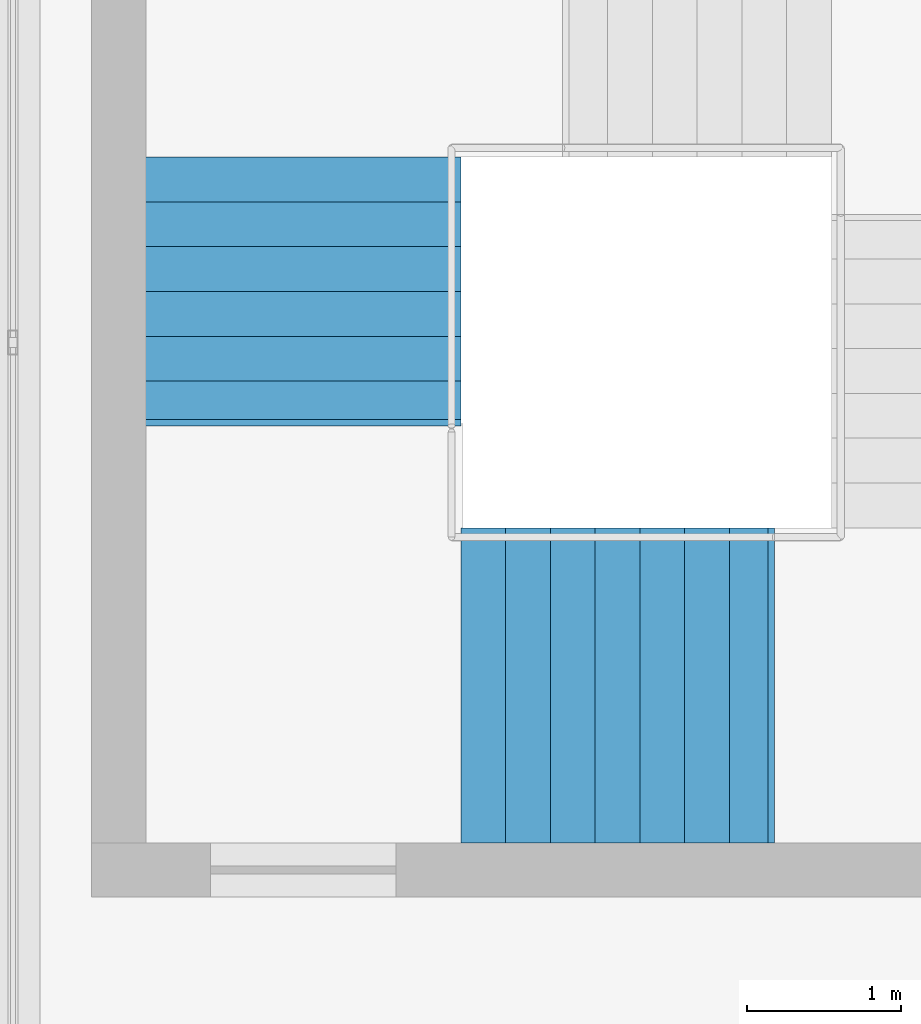
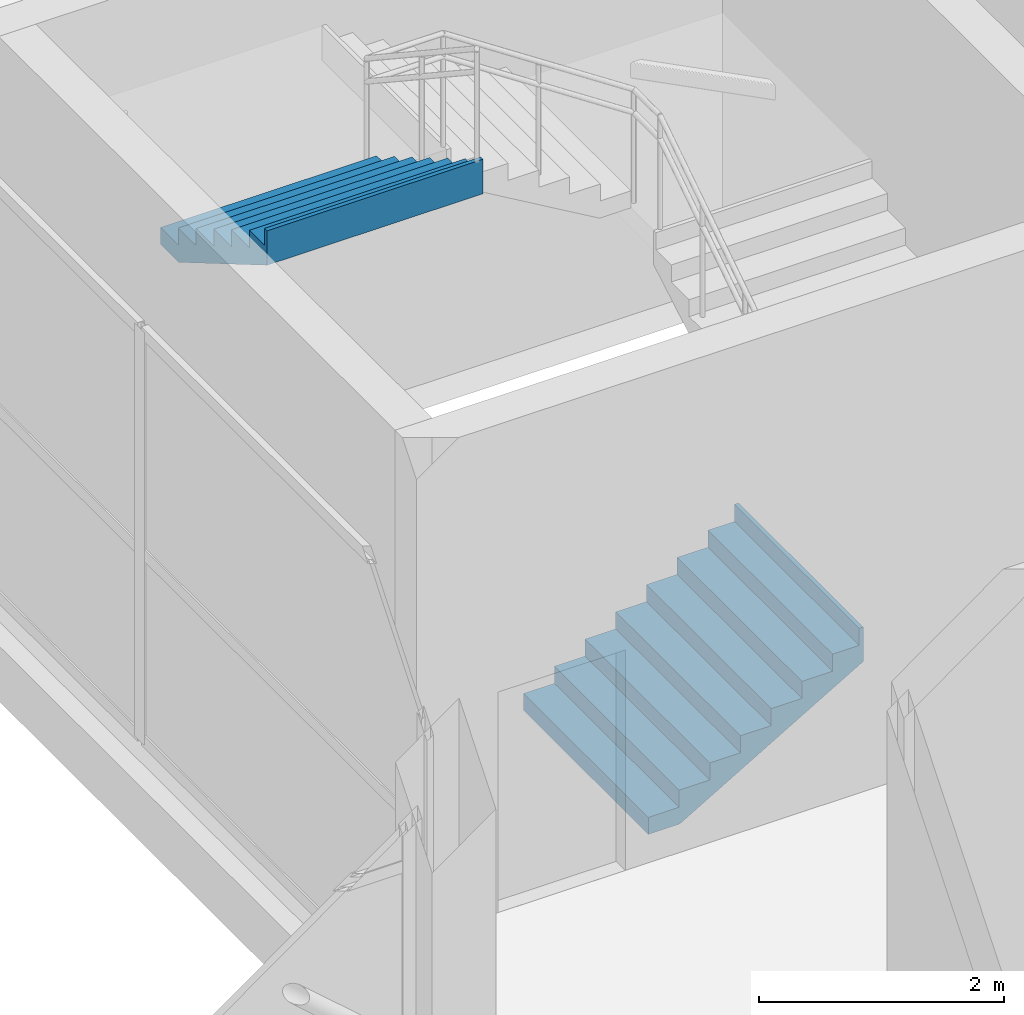
# One storey, part 61 of 66: 2 stair flights, 1 element without a shape of its own.
"""IFC4 building model written with IfcOpenShell, lengths in metres."""

from ifc_helpers import new_model, si_unit, direction, frame, origin, place, context, subcontext, project, spatial, triangles, material, type_object, element, aggregate, save


model = new_model("IFC4")

# Units and contexts
model_context = context("Model", 3, precision=1e-05, world=origin(), true_north=direction((0.0, 1.0)))
body_context = subcontext(model_context, "Body", "Model", "MODEL_VIEW")
ifc_project = project(units=[si_unit("LENGTHUNIT", "METRE"), si_unit("AREAUNIT", "SQUARE_METRE"), si_unit("VOLUMEUNIT", "CUBIC_METRE"), si_unit("PLANEANGLEUNIT", "RADIAN"), si_unit("MASSUNIT", "GRAM", prefix="KILO")], contexts=[model_context])

# Site, building, storey
site_placement = place(None, origin())
site = spatial("IfcSite", under=ifc_project, at=site_placement, CompositionType="ELEMENT")
building_placement = place(site_placement, origin())
building = spatial("IfcBuilding", under=site, at=building_placement, Name="Sillaruma Civic Art Gallery", CompositionType="ELEMENT")
storey_placement = place(building_placement, frame((0.0, 0.0, 57.1201171875)))
storey = spatial("IfcBuildingStorey", under=building, at=storey_placement, Name="L11", CompositionType="ELEMENT", Elevation=57.1201171875)

# Stair, stair flights
ifc_material = material(Name="Concrete H35 (35 MPa)", Category="concrete")
stair_type = type_object("IfcStairType", Name="STR-4F-30", PredefinedType="USERDEFINED", material=ifc_material)
stair_placement = place(storey_placement, origin())
stair = element("IfcStair", 1, at=stair_placement, inside=storey, type_object=stair_type, Name="Protected Exit Stair ST-04 (East Bar) (L11)", ObjectType="THREE_RETURN_STAIR", PredefinedType="USERDEFINED")
stair_flight_type_1 = type_object("IfcStairFlightType", Name="SFL-STR-7", PredefinedType="STRAIGHT", material=ifc_material)
stair_flight_1_placement = place(storey_placement, frame((99.8798828125, 55.64990234375, 3.909912109375), z_axis=(0.0, 0.0, 1.0), x_axis=(0.0, -1.0, 0.0)))
stair_flight_1 = element("IfcStairFlight", 2, at=stair_flight_1_placement, type_object=stair_flight_type_1, Name="ST-04 flight 4", NumberOfRisers=7, NumberOfTreads=6, PredefinedType="STRAIGHT", RiserHeight=0.17, TreadLength=0.29, context=body_context, shape_type="Tessellation", body=[
    triangles([(0.0, -1.02001953125, 0.0), (0.29, -1.02001953125, 0.0), (0.296404, -1.02001953125, 0.0), (0.58, -1.02001953125, 0.166246), (0.87, -1.02001953125, 0.336246), (1.16, -1.02001953125, 0.506246), (1.45, -1.02001953125, 0.676246), (1.69999, -1.02001953125, 0.822792), (1.73999, -1.02001953125, 0.84624), (1.73999, -1.02001953125, 1.19), (1.69999, -1.02001953125, 1.19), (1.69999, -1.02001953125, 1.02), (1.45, -1.02001953125, 1.02), (1.45, -1.02001953125, 0.85), (1.16, -1.02001953125, 0.85), (1.16, -1.02001953125, 0.68), (0.87, -1.02001953125, 0.68), (0.87, -1.02001953125, 0.51), (0.58, -1.02001953125, 0.51), (0.58, -1.02001953125, 0.34), (0.296404, -1.02001953125, 0.34), (0.29, -1.02001953125, 0.34), (0.29, -1.02001953125, 0.17), (0.0, -1.02001953125, 0.17), (0.0, -0.05, 0.0), (0.29, -0.05, 0.0), (0.296404, -0.05, 0.0), (0.58, -0.05, 0.166246), (0.87, -0.05, 0.336246), (1.16, -0.05, 0.506246), (1.45, -0.05, 0.676246), (1.69999, -0.05, 0.822792), (1.73999, -0.05, 0.84624), (1.73999, -0.05, 1.19), (1.69999, -0.05, 1.19), (1.69999, -0.05, 1.02), (1.45, -0.05, 1.02), (1.45, -0.05, 0.85), (1.16, -0.05, 0.85), (1.16, -0.05, 0.68), (0.87, -0.05, 0.68), (0.87, -0.05, 0.51), (0.58, -0.05, 0.51), (0.58, -0.05, 0.34), (0.296404, -0.05, 0.34), (0.29, -0.05, 0.34), (0.29, -0.05, 0.17), (0.0, -0.05, 0.17), (0.0, -0.0375, 0.0), (0.29, -0.0375, 0.0), (0.296404, -0.0375, 0.0), (0.58, -0.0375, 0.166246), (0.87, -0.0375, 0.336246), (1.16, -0.0375, 0.506246), (1.45, -0.0375, 0.676246), (1.69999, -0.0375, 0.822792), (1.73999, -0.0375, 0.84624), (1.73999, -0.0375, 1.19), (1.69999, -0.0375, 1.19), (1.69999, -0.0375, 1.02), (1.45, -0.0375, 1.02), (1.45, -0.0375, 0.85), (1.16, -0.0375, 0.85), (1.16, -0.0375, 0.68), (0.87, -0.0375, 0.68), (0.87, -0.0375, 0.51), (0.58, -0.0375, 0.51), (0.58, -0.0375, 0.34), (0.296404, -0.0375, 0.34), (0.29, -0.0375, 0.34), (0.29, -0.0375, 0.17), (0.0, -0.0375, 0.17), (0.0, -0.025, 0.0), (0.29, -0.025, 0.0), (0.296404, -0.025, 0.0), (0.58, -0.025, 0.166246), (0.87, -0.025, 0.336246), (1.16, -0.025, 0.506246), (1.45, -0.025, 0.676246), (1.69999, -0.025, 0.822792), (1.73999, -0.025, 0.84624), (1.73999, -0.025, 1.19), (1.69999, -0.025, 1.19), (1.69999, -0.025, 1.02), (1.45, -0.025, 1.02), (1.45, -0.025, 0.85), (1.16, -0.025, 0.85), (1.16, -0.025, 0.68), (0.87, -0.025, 0.68), (0.87, -0.025, 0.51), (0.58, -0.025, 0.51), (0.58, -0.025, 0.34), (0.296404, -0.025, 0.34), (0.29, -0.025, 0.34), (0.29, -0.025, 0.17), (0.0, -0.025, 0.17), (0.0, -0.0125, 0.0), (0.29, -0.0125, 0.0), (0.296404, -0.0125, 0.0), (0.58, -0.0125, 0.166246), (0.87, -0.0125, 0.336246), (1.16, -0.0125, 0.506246), (1.45, -0.0125, 0.676246), (1.69999, -0.0125, 0.822792), (1.73999, -0.0125, 0.84624), (1.73999, -0.0125, 1.19), (1.69999, -0.0125, 1.19), (1.69999, -0.0125, 1.02), (1.45, -0.0125, 1.02), (1.45, -0.0125, 0.85), (1.16, -0.0125, 0.85), (1.16, -0.0125, 0.68), (0.87, -0.0125, 0.68), (0.87, -0.0125, 0.51), (0.58, -0.0125, 0.51), (0.58, -0.0125, 0.34), (0.296404, -0.0125, 0.34), (0.29, -0.0125, 0.34), (0.29, -0.0125, 0.17), (0.0, -0.0125, 0.17), (0.0, 0.0, 0.0), (0.29, 0.0, 0.0), (0.296404, 0.0, 0.0), (0.58, 0.0, 0.166246), (0.87, 0.0, 0.336246), (1.16, 0.0, 0.506246), (1.45, 0.0, 0.676246), (1.69999, 0.0, 0.822792), (1.73999, 0.0, 0.84624), (1.73999, 0.0, 1.19), (1.69999, 0.0, 1.19), (1.69999, 0.0, 1.02), (1.45, 0.0, 1.02), (1.45, 0.0, 0.85), (1.16, 0.0, 0.85), (1.16, 0.0, 0.68), (0.87, 0.0, 0.68), (0.87, 0.0, 0.51), (0.58, 0.0, 0.51), (0.58, 0.0, 0.34), (0.296404, 0.0, 0.34), (0.29, 0.0, 0.34), (0.29, 0.0, 0.17), (0.0, 0.0, 0.17), (0.0, 0.0125, 0.0), (0.29, 0.0125, 0.0), (0.296404, 0.0125, 0.0), (0.58, 0.0125, 0.166246), (0.87, 0.0125, 0.336246), (1.16, 0.0125, 0.506246), (1.45, 0.0125, 0.676246), (1.69999, 0.0125, 0.822792), (1.73999, 0.0125, 0.84624), (1.73999, 0.0125, 1.19), (1.69999, 0.0125, 1.19), (1.69999, 0.0125, 1.02), (1.45, 0.0125, 1.02), (1.45, 0.0125, 0.85), (1.16, 0.0125, 0.85), (1.16, 0.0125, 0.68), (0.87, 0.0125, 0.68), (0.87, 0.0125, 0.51), (0.58, 0.0125, 0.51), (0.58, 0.0125, 0.34), (0.296404, 0.0125, 0.34), (0.29, 0.0125, 0.34), (0.29, 0.0125, 0.17), (0.0, 0.0125, 0.17), (0.0, 0.025, 0.0), (0.29, 0.025, 0.0), (0.296404, 0.025, 0.0), (0.58, 0.025, 0.166246), (0.87, 0.025, 0.336246), (1.16, 0.025, 0.506246), (1.45, 0.025, 0.676246), (1.69999, 0.025, 0.822792), (1.73999, 0.025, 0.84624), (1.73999, 0.025, 1.19), (1.69999, 0.025, 1.19), (1.69999, 0.025, 1.02), (1.45, 0.025, 1.02), (1.45, 0.025, 0.85), (1.16, 0.025, 0.85), (1.16, 0.025, 0.68), (0.87, 0.025, 0.68), (0.87, 0.025, 0.51), (0.58, 0.025, 0.51), (0.58, 0.025, 0.34), (0.296404, 0.025, 0.34), (0.29, 0.025, 0.34), (0.29, 0.025, 0.17), (0.0, 0.025, 0.17), (0.0, 0.0375, 0.0), (0.29, 0.0375, 0.0), (0.296404, 0.0375, 0.0), (0.58, 0.0375, 0.166246), (0.87, 0.0375, 0.336246), (1.16, 0.0375, 0.506246), (1.45, 0.0375, 0.676246), (1.69999, 0.0375, 0.822792), (1.73999, 0.0375, 0.84624), (1.73999, 0.0375, 1.19), (1.69999, 0.0375, 1.19), (1.69999, 0.0375, 1.02), (1.45, 0.0375, 1.02), (1.45, 0.0375, 0.85), (1.16, 0.0375, 0.85), (1.16, 0.0375, 0.68), (0.87, 0.0375, 0.68), (0.87, 0.0375, 0.51), (0.58, 0.0375, 0.51), (0.58, 0.0375, 0.34), (0.296404, 0.0375, 0.34), (0.29, 0.0375, 0.34), (0.29, 0.0375, 0.17), (0.0, 0.0375, 0.17), (0.0, 0.05, 0.0), (0.29, 0.05, 0.0), (0.296404, 0.05, 0.0), (0.58, 0.05, 0.166246), (0.87, 0.05, 0.336246), (1.16, 0.05, 0.506246), (1.45, 0.05, 0.676246), (1.69999, 0.05, 0.822792), (1.73999, 0.05, 0.84624), (1.73999, 0.05, 1.19), (1.69999, 0.05, 1.19), (1.69999, 0.05, 1.02), (1.45, 0.05, 1.02), (1.45, 0.05, 0.85), (1.16, 0.05, 0.85), (1.16, 0.05, 0.68), (0.87, 0.05, 0.68), (0.87, 0.05, 0.51), (0.58, 0.05, 0.51), (0.58, 0.05, 0.34), (0.296404, 0.05, 0.34), (0.29, 0.05, 0.34), (0.29, 0.05, 0.17), (0.0, 0.05, 0.17), (0.0, 1.02001953125, 0.0), (0.29, 1.02001953125, 0.0), (0.296404, 1.02001953125, 0.0), (0.58, 1.02001953125, 0.166246), (0.87, 1.02001953125, 0.336246), (1.16, 1.02001953125, 0.506246), (1.45, 1.02001953125, 0.676246), (1.69999, 1.02001953125, 0.822792), (1.73999, 1.02001953125, 0.84624), (1.73999, 1.02001953125, 1.19), (1.69999, 1.02001953125, 1.19), (1.69999, 1.02001953125, 1.02), (1.45, 1.02001953125, 1.02), (1.45, 1.02001953125, 0.85), (1.16, 1.02001953125, 0.85), (1.16, 1.02001953125, 0.68), (0.87, 1.02001953125, 0.68), (0.87, 1.02001953125, 0.51), (0.58, 1.02001953125, 0.51), (0.58, 1.02001953125, 0.34), (0.296404, 1.02001953125, 0.34), (0.29, 1.02001953125, 0.34), (0.29, 1.02001953125, 0.17), (0.0, 1.02001953125, 0.17)], [[1, 2, 23], [1, 23, 24], [2, 3, 21], [2, 21, 23], [23, 21, 22], [3, 4, 20], [3, 20, 21], [4, 5, 18], [4, 18, 20], [20, 18, 19], [5, 6, 16], [5, 16, 18], [18, 16, 17], [6, 7, 14], [6, 14, 16], [16, 14, 15], [7, 8, 12], [7, 12, 14], [14, 12, 13], [8, 9, 10], [8, 10, 12], [12, 10, 11], [263, 242, 241], [264, 263, 241], [261, 243, 242], [263, 261, 242], [262, 261, 263], [260, 244, 243], [261, 260, 243], [258, 245, 244], [260, 258, 244], [259, 258, 260], [256, 246, 245], [258, 256, 245], [257, 256, 258], [254, 247, 246], [256, 254, 246], [255, 254, 256], [252, 248, 247], [254, 252, 247], [253, 252, 254], [250, 249, 248], [252, 250, 248], [251, 250, 252], [2, 1, 25], [2, 25, 26], [3, 2, 26], [3, 26, 27], [4, 3, 27], [4, 27, 28], [5, 4, 28], [5, 28, 29], [6, 5, 29], [6, 29, 30], [7, 6, 30], [7, 30, 31], [8, 7, 31], [8, 31, 32], [9, 8, 32], [9, 32, 33], [10, 9, 33], [10, 33, 34], [11, 10, 34], [11, 34, 35], [12, 11, 35], [12, 35, 36], [13, 12, 36], [13, 36, 37], [14, 13, 37], [14, 37, 38], [15, 14, 38], [15, 38, 39], [16, 15, 39], [16, 39, 40], [17, 16, 40], [17, 40, 41], [18, 17, 41], [18, 41, 42], [19, 18, 42], [19, 42, 43], [20, 19, 43], [20, 43, 44], [21, 20, 44], [21, 44, 45], [22, 21, 45], [22, 45, 46], [23, 22, 46], [23, 46, 47], [24, 23, 47], [24, 47, 48], [1, 24, 48], [1, 48, 25], [26, 25, 49], [26, 49, 50], [27, 26, 50], [27, 50, 51], [28, 27, 51], [28, 51, 52], [29, 28, 52], [29, 52, 53], [30, 29, 53], [30, 53, 54], [31, 30, 54], [31, 54, 55], [32, 31, 55], [32, 55, 56], [33, 32, 56], [33, 56, 57], [34, 33, 57], [34, 57, 58], [35, 34, 58], [35, 58, 59], [36, 35, 59], [36, 59, 60], [37, 36, 60], [37, 60, 61], [38, 37, 61], [38, 61, 62], [39, 38, 62], [39, 62, 63], [40, 39, 63], [40, 63, 64], [41, 40, 64], [41, 64, 65], [42, 41, 65], [42, 65, 66], [43, 42, 66], [43, 66, 67], [44, 43, 67], [44, 67, 68], [45, 44, 68], [45, 68, 69], [46, 45, 69], [46, 69, 70], [47, 46, 70], [47, 70, 71], [48, 47, 71], [48, 71, 72], [25, 48, 72], [25, 72, 49], [50, 49, 73], [50, 73, 74], [51, 50, 74], [51, 74, 75], [52, 51, 75], [52, 75, 76], [53, 52, 76], [53, 76, 77], [54, 53, 77], [54, 77, 78], [55, 54, 78], [55, 78, 79], [56, 55, 79], [56, 79, 80], [57, 56, 80], [57, 80, 81], [58, 57, 81], [58, 81, 82], [59, 58, 82], [59, 82, 83], [60, 59, 83], [60, 83, 84], [61, 60, 84], [61, 84, 85], [62, 61, 85], [62, 85, 86], [63, 62, 86], [63, 86, 87], [64, 63, 87], [64, 87, 88], [65, 64, 88], [65, 88, 89], [66, 65, 89], [66, 89, 90], [67, 66, 90], [67, 90, 91], [68, 67, 91], [68, 91, 92], [69, 68, 92], [69, 92, 93], [70, 69, 93], [70, 93, 94], [71, 70, 94], [71, 94, 95], [72, 71, 95], [72, 95, 96], [49, 72, 96], [49, 96, 73], [74, 73, 97], [74, 97, 98], [75, 74, 98], [75, 98, 99], [76, 75, 99], [76, 99, 100], [77, 76, 100], [77, 100, 101], [78, 77, 101], [78, 101, 102], [79, 78, 102], [79, 102, 103], [80, 79, 103], [80, 103, 104], [81, 80, 104], [81, 104, 105], [82, 81, 105], [82, 105, 106], [83, 82, 106], [83, 106, 107], [84, 83, 107], [84, 107, 108], [85, 84, 108], [85, 108, 109], [86, 85, 109], [86, 109, 110], [87, 86, 110], [87, 110, 111], [88, 87, 111], [88, 111, 112], [89, 88, 112], [89, 112, 113], [90, 89, 113], [90, 113, 114], [91, 90, 114], [91, 114, 115], [92, 91, 115], [92, 115, 116], [93, 92, 116], [93, 116, 117], [94, 93, 117], [94, 117, 118], [95, 94, 118], [95, 118, 119], [96, 95, 119], [96, 119, 120], [73, 96, 120], [73, 120, 97], [98, 97, 121], [98, 121, 122], [99, 98, 122], [99, 122, 123], [100, 99, 123], [100, 123, 124], [101, 100, 124], [101, 124, 125], [102, 101, 125], [102, 125, 126], [103, 102, 126], [103, 126, 127], [104, 103, 127], [104, 127, 128], [105, 104, 128], [105, 128, 129], [106, 105, 129], [106, 129, 130], [107, 106, 130], [107, 130, 131], [108, 107, 131], [108, 131, 132], [109, 108, 132], [109, 132, 133], [110, 109, 133], [110, 133, 134], [111, 110, 134], [111, 134, 135], [112, 111, 135], [112, 135, 136], [113, 112, 136], [113, 136, 137], [114, 113, 137], [114, 137, 138], [115, 114, 138], [115, 138, 139], [116, 115, 139], [116, 139, 140], [117, 116, 140], [117, 140, 141], [118, 117, 141], [118, 141, 142], [119, 118, 142], [119, 142, 143], [120, 119, 143], [120, 143, 144], [97, 120, 144], [97, 144, 121], [122, 121, 145], [122, 145, 146], [123, 122, 146], [123, 146, 147], [124, 123, 147], [124, 147, 148], [125, 124, 148], [125, 148, 149], [126, 125, 149], [126, 149, 150], [127, 126, 150], [127, 150, 151], [128, 127, 151], [128, 151, 152], [129, 128, 152], [129, 152, 153], [130, 129, 153], [130, 153, 154], [131, 130, 154], [131, 154, 155], [132, 131, 155], [132, 155, 156], [133, 132, 156], [133, 156, 157], [134, 133, 157], [134, 157, 158], [135, 134, 158], [135, 158, 159], [136, 135, 159], [136, 159, 160], [137, 136, 160], [137, 160, 161], [138, 137, 161], [138, 161, 162], [139, 138, 162], [139, 162, 163], [140, 139, 163], [140, 163, 164], [141, 140, 164], [141, 164, 165], [142, 141, 165], [142, 165, 166], [143, 142, 166], [143, 166, 167], [144, 143, 167], [144, 167, 168], [121, 144, 168], [121, 168, 145], [146, 145, 169], [146, 169, 170], [147, 146, 170], [147, 170, 171], [148, 147, 171], [148, 171, 172], [149, 148, 172], [149, 172, 173], [150, 149, 173], [150, 173, 174], [151, 150, 174], [151, 174, 175], [152, 151, 175], [152, 175, 176], [153, 152, 176], [153, 176, 177], [154, 153, 177], [154, 177, 178], [155, 154, 178], [155, 178, 179], [156, 155, 179], [156, 179, 180], [157, 156, 180], [157, 180, 181], [158, 157, 181], [158, 181, 182], [159, 158, 182], [159, 182, 183], [160, 159, 183], [160, 183, 184], [161, 160, 184], [161, 184, 185], [162, 161, 185], [162, 185, 186], [163, 162, 186], [163, 186, 187], [164, 163, 187], [164, 187, 188], [165, 164, 188], [165, 188, 189], [166, 165, 189], [166, 189, 190], [167, 166, 190], [167, 190, 191], [168, 167, 191], [168, 191, 192], [145, 168, 192], [145, 192, 169], [170, 169, 193], [170, 193, 194], [171, 170, 194], [171, 194, 195], [172, 171, 195], [172, 195, 196], [173, 172, 196], [173, 196, 197], [174, 173, 197], [174, 197, 198], [175, 174, 198], [175, 198, 199], [176, 175, 199], [176, 199, 200], [177, 176, 200], [177, 200, 201], [178, 177, 201], [178, 201, 202], [179, 178, 202], [179, 202, 203], [180, 179, 203], [180, 203, 204], [181, 180, 204], [181, 204, 205], [182, 181, 205], [182, 205, 206], [183, 182, 206], [183, 206, 207], [184, 183, 207], [184, 207, 208], [185, 184, 208], [185, 208, 209], [186, 185, 209], [186, 209, 210], [187, 186, 210], [187, 210, 211], [188, 187, 211], [188, 211, 212], [189, 188, 212], [189, 212, 213], [190, 189, 213], [190, 213, 214], [191, 190, 214], [191, 214, 215], [192, 191, 215], [192, 215, 216], [169, 192, 216], [169, 216, 193], [194, 193, 217], [194, 217, 218], [195, 194, 218], [195, 218, 219], [196, 195, 219], [196, 219, 220], [197, 196, 220], [197, 220, 221], [198, 197, 221], [198, 221, 222], [199, 198, 222], [199, 222, 223], [200, 199, 223], [200, 223, 224], [201, 200, 224], [201, 224, 225], [202, 201, 225], [202, 225, 226], [203, 202, 226], [203, 226, 227], [204, 203, 227], [204, 227, 228], [205, 204, 228], [205, 228, 229], [206, 205, 229], [206, 229, 230], [207, 206, 230], [207, 230, 231], [208, 207, 231], [208, 231, 232], [209, 208, 232], [209, 232, 233], [210, 209, 233], [210, 233, 234], [211, 210, 234], [211, 234, 235], [212, 211, 235], [212, 235, 236], [213, 212, 236], [213, 236, 237], [214, 213, 237], [214, 237, 238], [215, 214, 238], [215, 238, 239], [216, 215, 239], [216, 239, 240], [193, 216, 240], [193, 240, 217], [218, 217, 241], [218, 241, 242], [219, 218, 242], [219, 242, 243], [220, 219, 243], [220, 243, 244], [221, 220, 244], [221, 244, 245], [222, 221, 245], [222, 245, 246], [223, 222, 246], [223, 246, 247], [224, 223, 247], [224, 247, 248], [225, 224, 248], [225, 248, 249], [226, 225, 249], [226, 249, 250], [227, 226, 250], [227, 250, 251], [228, 227, 251], [228, 251, 252], [229, 228, 252], [229, 252, 253], [230, 229, 253], [230, 253, 254], [231, 230, 254], [231, 254, 255], [232, 231, 255], [232, 255, 256], [233, 232, 256], [233, 256, 257], [234, 233, 257], [234, 257, 258], [235, 234, 258], [235, 258, 259], [236, 235, 259], [236, 259, 260], [237, 236, 260], [237, 260, 261], [238, 237, 261], [238, 261, 262], [239, 238, 262], [239, 262, 263], [240, 239, 263], [240, 263, 264], [217, 240, 264], [217, 264, 241]], closed=True),
])
stair_flight_type_2 = type_object("IfcStairFlightType", Name="SFL-STR-8", PredefinedType="STRAIGHT", material=ifc_material)
stair_flight_2_placement = place(storey_placement, frame((100.89990234375, 52.22998046875, 0.0), z_axis=(0.0, 0.0, 1.0), x_axis=(1.0, 0.0, 0.0)))
stair_flight_2 = element("IfcStairFlight", 3, at=stair_flight_2_placement, type_object=stair_flight_type_2, Name="ST-04 flight 1", NumberOfRisers=8, NumberOfTreads=7, PredefinedType="STRAIGHT", RiserHeight=0.17, TreadLength=0.29, context=body_context, shape_type="Tessellation", body=[
    triangles([(0.0, -1.02001953125, 0.0), (0.29, -1.02001953125, 0.0), (0.296443, -1.02001953125, 0.0), (0.58, -1.02001953125, 0.166223), (0.87, -1.02001953125, 0.336223), (1.16, -1.02001953125, 0.506223), (1.45, -1.02001953125, 0.676223), (1.74, -1.02001953125, 0.846223), (1.990029, -1.02001953125, 0.992792), (2.030029, -1.02001953125, 1.01624), (2.030029, -1.02001953125, 1.36), (1.990029, -1.02001953125, 1.36), (1.990029, -1.02001953125, 1.19), (1.74, -1.02001953125, 1.19), (1.74, -1.02001953125, 1.02), (1.45, -1.02001953125, 1.02), (1.45, -1.02001953125, 0.85), (1.16, -1.02001953125, 0.85), (1.16, -1.02001953125, 0.68), (0.87, -1.02001953125, 0.68), (0.87, -1.02001953125, 0.51), (0.58, -1.02001953125, 0.51), (0.58, -1.02001953125, 0.34), (0.296443, -1.02001953125, 0.34), (0.29, -1.02001953125, 0.34), (0.29, -1.02001953125, 0.17), (0.0, -1.02001953125, 0.17), (0.0, -0.05, 0.0), (0.29, -0.05, 0.0), (0.296443, -0.05, 0.0), (0.58, -0.05, 0.166223), (0.87, -0.05, 0.336223), (1.16, -0.05, 0.506223), (1.45, -0.05, 0.676223), (1.74, -0.05, 0.846223), (1.990029, -0.05, 0.992792), (2.030029, -0.05, 1.01624), (2.030029, -0.05, 1.36), (1.990029, -0.05, 1.36), (1.990029, -0.05, 1.19), (1.74, -0.05, 1.19), (1.74, -0.05, 1.02), (1.45, -0.05, 1.02), (1.45, -0.05, 0.85), (1.16, -0.05, 0.85), (1.16, -0.05, 0.68), (0.87, -0.05, 0.68), (0.87, -0.05, 0.51), (0.58, -0.05, 0.51), (0.58, -0.05, 0.34), (0.296443, -0.05, 0.34), (0.29, -0.05, 0.34), (0.29, -0.05, 0.17), (0.0, -0.05, 0.17), (0.0, -0.0375, 0.0), (0.29, -0.0375, 0.0), (0.296443, -0.0375, 0.0), (0.58, -0.0375, 0.166223), (0.87, -0.0375, 0.336223), (1.16, -0.0375, 0.506223), (1.45, -0.0375, 0.676223), (1.74, -0.0375, 0.846223), (1.990029, -0.0375, 0.992792), (2.030029, -0.0375, 1.01624), (2.030029, -0.0375, 1.36), (1.990029, -0.0375, 1.36), (1.990029, -0.0375, 1.19), (1.74, -0.0375, 1.19), (1.74, -0.0375, 1.02), (1.45, -0.0375, 1.02), (1.45, -0.0375, 0.85), (1.16, -0.0375, 0.85), (1.16, -0.0375, 0.68), (0.87, -0.0375, 0.68), (0.87, -0.0375, 0.51), (0.58, -0.0375, 0.51), (0.58, -0.0375, 0.34), (0.296443, -0.0375, 0.34), (0.29, -0.0375, 0.34), (0.29, -0.0375, 0.17), (0.0, -0.0375, 0.17), (0.0, -0.025, 0.0), (0.29, -0.025, 0.0), (0.296443, -0.025, 0.0), (0.58, -0.025, 0.166223), (0.87, -0.025, 0.336223), (1.16, -0.025, 0.506223), (1.45, -0.025, 0.676223), (1.74, -0.025, 0.846223), (1.990029, -0.025, 0.992792), (2.030029, -0.025, 1.01624), (2.030029, -0.025, 1.36), (1.990029, -0.025, 1.36), (1.990029, -0.025, 1.19), (1.74, -0.025, 1.19), (1.74, -0.025, 1.02), (1.45, -0.025, 1.02), (1.45, -0.025, 0.85), (1.16, -0.025, 0.85), (1.16, -0.025, 0.68), (0.87, -0.025, 0.68), (0.87, -0.025, 0.51), (0.58, -0.025, 0.51), (0.58, -0.025, 0.34), (0.296443, -0.025, 0.34), (0.29, -0.025, 0.34), (0.29, -0.025, 0.17), (0.0, -0.025, 0.17), (0.0, -0.0125, 0.0), (0.29, -0.0125, 0.0), (0.296443, -0.0125, 0.0), (0.58, -0.0125, 0.166223), (0.87, -0.0125, 0.336223), (1.16, -0.0125, 0.506223), (1.45, -0.0125, 0.676223), (1.74, -0.0125, 0.846223), (1.990029, -0.0125, 0.992792), (2.030029, -0.0125, 1.01624), (2.030029, -0.0125, 1.36), (1.990029, -0.0125, 1.36), (1.990029, -0.0125, 1.19), (1.74, -0.0125, 1.19), (1.74, -0.0125, 1.02), (1.45, -0.0125, 1.02), (1.45, -0.0125, 0.85), (1.16, -0.0125, 0.85), (1.16, -0.0125, 0.68), (0.87, -0.0125, 0.68), (0.87, -0.0125, 0.51), (0.58, -0.0125, 0.51), (0.58, -0.0125, 0.34), (0.296443, -0.0125, 0.34), (0.29, -0.0125, 0.34), (0.29, -0.0125, 0.17), (0.0, -0.0125, 0.17), (0.0, 0.0, 0.0), (0.29, 0.0, 0.0), (0.296443, 0.0, 0.0), (0.58, 0.0, 0.166223), (0.87, 0.0, 0.336223), (1.16, 0.0, 0.506223), (1.45, 0.0, 0.676223), (1.74, 0.0, 0.846223), (1.990029, 0.0, 0.992792), (2.030029, 0.0, 1.01624), (2.030029, 0.0, 1.36), (1.990029, 0.0, 1.36), (1.990029, 0.0, 1.19), (1.74, 0.0, 1.19), (1.74, 0.0, 1.02), (1.45, 0.0, 1.02), (1.45, 0.0, 0.85), (1.16, 0.0, 0.85), (1.16, 0.0, 0.68), (0.87, 0.0, 0.68), (0.87, 0.0, 0.51), (0.58, 0.0, 0.51), (0.58, 0.0, 0.34), (0.296443, 0.0, 0.34), (0.29, 0.0, 0.34), (0.29, 0.0, 0.17), (0.0, 0.0, 0.17), (0.0, 0.0125, 0.0), (0.29, 0.0125, 0.0), (0.296443, 0.0125, 0.0), (0.58, 0.0125, 0.166223), (0.87, 0.0125, 0.336223), (1.16, 0.0125, 0.506223), (1.45, 0.0125, 0.676223), (1.74, 0.0125, 0.846223), (1.990029, 0.0125, 0.992792), (2.030029, 0.0125, 1.01624), (2.030029, 0.0125, 1.36), (1.990029, 0.0125, 1.36), (1.990029, 0.0125, 1.19), (1.74, 0.0125, 1.19), (1.74, 0.0125, 1.02), (1.45, 0.0125, 1.02), (1.45, 0.0125, 0.85), (1.16, 0.0125, 0.85), (1.16, 0.0125, 0.68), (0.87, 0.0125, 0.68), (0.87, 0.0125, 0.51), (0.58, 0.0125, 0.51), (0.58, 0.0125, 0.34), (0.296443, 0.0125, 0.34), (0.29, 0.0125, 0.34), (0.29, 0.0125, 0.17), (0.0, 0.0125, 0.17), (0.0, 0.025, 0.0), (0.29, 0.025, 0.0), (0.296443, 0.025, 0.0), (0.58, 0.025, 0.166223), (0.87, 0.025, 0.336223), (1.16, 0.025, 0.506223), (1.45, 0.025, 0.676223), (1.74, 0.025, 0.846223), (1.990029, 0.025, 0.992792), (2.030029, 0.025, 1.01624), (2.030029, 0.025, 1.36), (1.990029, 0.025, 1.36), (1.990029, 0.025, 1.19), (1.74, 0.025, 1.19), (1.74, 0.025, 1.02), (1.45, 0.025, 1.02), (1.45, 0.025, 0.85), (1.16, 0.025, 0.85), (1.16, 0.025, 0.68), (0.87, 0.025, 0.68), (0.87, 0.025, 0.51), (0.58, 0.025, 0.51), (0.58, 0.025, 0.34), (0.296443, 0.025, 0.34), (0.29, 0.025, 0.34), (0.29, 0.025, 0.17), (0.0, 0.025, 0.17), (0.0, 0.0375, 0.0), (0.29, 0.0375, 0.0), (0.296443, 0.0375, 0.0), (0.58, 0.0375, 0.166223), (0.87, 0.0375, 0.336223), (1.16, 0.0375, 0.506223), (1.45, 0.0375, 0.676223), (1.74, 0.0375, 0.846223), (1.990029, 0.0375, 0.992792), (2.030029, 0.0375, 1.01624), (2.030029, 0.0375, 1.36), (1.990029, 0.0375, 1.36), (1.990029, 0.0375, 1.19), (1.74, 0.0375, 1.19), (1.74, 0.0375, 1.02), (1.45, 0.0375, 1.02), (1.45, 0.0375, 0.85), (1.16, 0.0375, 0.85), (1.16, 0.0375, 0.68), (0.87, 0.0375, 0.68), (0.87, 0.0375, 0.51), (0.58, 0.0375, 0.51), (0.58, 0.0375, 0.34), (0.296443, 0.0375, 0.34), (0.29, 0.0375, 0.34), (0.29, 0.0375, 0.17), (0.0, 0.0375, 0.17), (0.0, 0.05, 0.0), (0.29, 0.05, 0.0), (0.296443, 0.05, 0.0), (0.58, 0.05, 0.166223), (0.87, 0.05, 0.336223), (1.16, 0.05, 0.506223), (1.45, 0.05, 0.676223), (1.74, 0.05, 0.846223), (1.990029, 0.05, 0.992792), (2.030029, 0.05, 1.01624), (2.030029, 0.05, 1.36), (1.990029, 0.05, 1.36), (1.990029, 0.05, 1.19), (1.74, 0.05, 1.19), (1.74, 0.05, 1.02), (1.45, 0.05, 1.02), (1.45, 0.05, 0.85), (1.16, 0.05, 0.85), (1.16, 0.05, 0.68), (0.87, 0.05, 0.68), (0.87, 0.05, 0.51), (0.58, 0.05, 0.51), (0.58, 0.05, 0.34), (0.296443, 0.05, 0.34), (0.29, 0.05, 0.34), (0.29, 0.05, 0.17), (0.0, 0.05, 0.17), (0.0, 1.02001953125, 0.0), (0.29, 1.02001953125, 0.0), (0.296443, 1.02001953125, 0.0), (0.58, 1.02001953125, 0.166223), (0.87, 1.02001953125, 0.336223), (1.16, 1.02001953125, 0.506223), (1.45, 1.02001953125, 0.676223), (1.74, 1.02001953125, 0.846223), (1.990029, 1.02001953125, 0.992792), (2.030029, 1.02001953125, 1.01624), (2.030029, 1.02001953125, 1.36), (1.990029, 1.02001953125, 1.36), (1.990029, 1.02001953125, 1.19), (1.74, 1.02001953125, 1.19), (1.74, 1.02001953125, 1.02), (1.45, 1.02001953125, 1.02), (1.45, 1.02001953125, 0.85), (1.16, 1.02001953125, 0.85), (1.16, 1.02001953125, 0.68), (0.87, 1.02001953125, 0.68), (0.87, 1.02001953125, 0.51), (0.58, 1.02001953125, 0.51), (0.58, 1.02001953125, 0.34), (0.296443, 1.02001953125, 0.34), (0.29, 1.02001953125, 0.34), (0.29, 1.02001953125, 0.17), (0.0, 1.02001953125, 0.17)], [[1, 2, 26], [1, 26, 27], [2, 3, 24], [2, 24, 26], [26, 24, 25], [3, 4, 23], [3, 23, 24], [4, 5, 21], [4, 21, 23], [23, 21, 22], [5, 6, 19], [5, 19, 21], [21, 19, 20], [6, 7, 17], [6, 17, 19], [19, 17, 18], [7, 8, 15], [7, 15, 17], [17, 15, 16], [8, 9, 13], [8, 13, 15], [15, 13, 14], [9, 10, 11], [9, 11, 13], [13, 11, 12], [296, 272, 271], [297, 296, 271], [294, 273, 272], [296, 294, 272], [295, 294, 296], [293, 274, 273], [294, 293, 273], [291, 275, 274], [293, 291, 274], [292, 291, 293], [289, 276, 275], [291, 289, 275], [290, 289, 291], [287, 277, 276], [289, 287, 276], [288, 287, 289], [285, 278, 277], [287, 285, 277], [286, 285, 287], [283, 279, 278], [285, 283, 278], [284, 283, 285], [281, 280, 279], [283, 281, 279], [282, 281, 283], [2, 1, 28], [2, 28, 29], [3, 2, 29], [3, 29, 30], [4, 3, 30], [4, 30, 31], [5, 4, 31], [5, 31, 32], [6, 5, 32], [6, 32, 33], [7, 6, 33], [7, 33, 34], [8, 7, 34], [8, 34, 35], [9, 8, 35], [9, 35, 36], [10, 9, 36], [10, 36, 37], [11, 10, 37], [11, 37, 38], [12, 11, 38], [12, 38, 39], [13, 12, 39], [13, 39, 40], [14, 13, 40], [14, 40, 41], [15, 14, 41], [15, 41, 42], [16, 15, 42], [16, 42, 43], [17, 16, 43], [17, 43, 44], [18, 17, 44], [18, 44, 45], [19, 18, 45], [19, 45, 46], [20, 19, 46], [20, 46, 47], [21, 20, 47], [21, 47, 48], [22, 21, 48], [22, 48, 49], [23, 22, 49], [23, 49, 50], [24, 23, 50], [24, 50, 51], [25, 24, 51], [25, 51, 52], [26, 25, 52], [26, 52, 53], [27, 26, 53], [27, 53, 54], [1, 27, 54], [1, 54, 28], [29, 28, 55], [29, 55, 56], [30, 29, 56], [30, 56, 57], [31, 30, 57], [31, 57, 58], [32, 31, 58], [32, 58, 59], [33, 32, 59], [33, 59, 60], [34, 33, 60], [34, 60, 61], [35, 34, 61], [35, 61, 62], [36, 35, 62], [36, 62, 63], [37, 36, 63], [37, 63, 64], [38, 37, 64], [38, 64, 65], [39, 38, 65], [39, 65, 66], [40, 39, 66], [40, 66, 67], [41, 40, 67], [41, 67, 68], [42, 41, 68], [42, 68, 69], [43, 42, 69], [43, 69, 70], [44, 43, 70], [44, 70, 71], [45, 44, 71], [45, 71, 72], [46, 45, 72], [46, 72, 73], [47, 46, 73], [47, 73, 74], [48, 47, 74], [48, 74, 75], [49, 48, 75], [49, 75, 76], [50, 49, 76], [50, 76, 77], [51, 50, 77], [51, 77, 78], [52, 51, 78], [52, 78, 79], [53, 52, 79], [53, 79, 80], [54, 53, 80], [54, 80, 81], [28, 54, 81], [28, 81, 55], [56, 55, 82], [56, 82, 83], [57, 56, 83], [57, 83, 84], [58, 57, 84], [58, 84, 85], [59, 58, 85], [59, 85, 86], [60, 59, 86], [60, 86, 87], [61, 60, 87], [61, 87, 88], [62, 61, 88], [62, 88, 89], [63, 62, 89], [63, 89, 90], [64, 63, 90], [64, 90, 91], [65, 64, 91], [65, 91, 92], [66, 65, 92], [66, 92, 93], [67, 66, 93], [67, 93, 94], [68, 67, 94], [68, 94, 95], [69, 68, 95], [69, 95, 96], [70, 69, 96], [70, 96, 97], [71, 70, 97], [71, 97, 98], [72, 71, 98], [72, 98, 99], [73, 72, 99], [73, 99, 100], [74, 73, 100], [74, 100, 101], [75, 74, 101], [75, 101, 102], [76, 75, 102], [76, 102, 103], [77, 76, 103], [77, 103, 104], [78, 77, 104], [78, 104, 105], [79, 78, 105], [79, 105, 106], [80, 79, 106], [80, 106, 107], [81, 80, 107], [81, 107, 108], [55, 81, 108], [55, 108, 82], [83, 82, 109], [83, 109, 110], [84, 83, 110], [84, 110, 111], [85, 84, 111], [85, 111, 112], [86, 85, 112], [86, 112, 113], [87, 86, 113], [87, 113, 114], [88, 87, 114], [88, 114, 115], [89, 88, 115], [89, 115, 116], [90, 89, 116], [90, 116, 117], [91, 90, 117], [91, 117, 118], [92, 91, 118], [92, 118, 119], [93, 92, 119], [93, 119, 120], [94, 93, 120], [94, 120, 121], [95, 94, 121], [95, 121, 122], [96, 95, 122], [96, 122, 123], [97, 96, 123], [97, 123, 124], [98, 97, 124], [98, 124, 125], [99, 98, 125], [99, 125, 126], [100, 99, 126], [100, 126, 127], [101, 100, 127], [101, 127, 128], [102, 101, 128], [102, 128, 129], [103, 102, 129], [103, 129, 130], [104, 103, 130], [104, 130, 131], [105, 104, 131], [105, 131, 132], [106, 105, 132], [106, 132, 133], [107, 106, 133], [107, 133, 134], [108, 107, 134], [108, 134, 135], [82, 108, 135], [82, 135, 109], [110, 109, 136], [110, 136, 137], [111, 110, 137], [111, 137, 138], [112, 111, 138], [112, 138, 139], [113, 112, 139], [113, 139, 140], [114, 113, 140], [114, 140, 141], [115, 114, 141], [115, 141, 142], [116, 115, 142], [116, 142, 143], [117, 116, 143], [117, 143, 144], [118, 117, 144], [118, 144, 145], [119, 118, 145], [119, 145, 146], [120, 119, 146], [120, 146, 147], [121, 120, 147], [121, 147, 148], [122, 121, 148], [122, 148, 149], [123, 122, 149], [123, 149, 150], [124, 123, 150], [124, 150, 151], [125, 124, 151], [125, 151, 152], [126, 125, 152], [126, 152, 153], [127, 126, 153], [127, 153, 154], [128, 127, 154], [128, 154, 155], [129, 128, 155], [129, 155, 156], [130, 129, 156], [130, 156, 157], [131, 130, 157], [131, 157, 158], [132, 131, 158], [132, 158, 159], [133, 132, 159], [133, 159, 160], [134, 133, 160], [134, 160, 161], [135, 134, 161], [135, 161, 162], [109, 135, 162], [109, 162, 136], [137, 136, 163], [137, 163, 164], [138, 137, 164], [138, 164, 165], [139, 138, 165], [139, 165, 166], [140, 139, 166], [140, 166, 167], [141, 140, 167], [141, 167, 168], [142, 141, 168], [142, 168, 169], [143, 142, 169], [143, 169, 170], [144, 143, 170], [144, 170, 171], [145, 144, 171], [145, 171, 172], [146, 145, 172], [146, 172, 173], [147, 146, 173], [147, 173, 174], [148, 147, 174], [148, 174, 175], [149, 148, 175], [149, 175, 176], [150, 149, 176], [150, 176, 177], [151, 150, 177], [151, 177, 178], [152, 151, 178], [152, 178, 179], [153, 152, 179], [153, 179, 180], [154, 153, 180], [154, 180, 181], [155, 154, 181], [155, 181, 182], [156, 155, 182], [156, 182, 183], [157, 156, 183], [157, 183, 184], [158, 157, 184], [158, 184, 185], [159, 158, 185], [159, 185, 186], [160, 159, 186], [160, 186, 187], [161, 160, 187], [161, 187, 188], [162, 161, 188], [162, 188, 189], [136, 162, 189], [136, 189, 163], [164, 163, 190], [164, 190, 191], [165, 164, 191], [165, 191, 192], [166, 165, 192], [166, 192, 193], [167, 166, 193], [167, 193, 194], [168, 167, 194], [168, 194, 195], [169, 168, 195], [169, 195, 196], [170, 169, 196], [170, 196, 197], [171, 170, 197], [171, 197, 198], [172, 171, 198], [172, 198, 199], [173, 172, 199], [173, 199, 200], [174, 173, 200], [174, 200, 201], [175, 174, 201], [175, 201, 202], [176, 175, 202], [176, 202, 203], [177, 176, 203], [177, 203, 204], [178, 177, 204], [178, 204, 205], [179, 178, 205], [179, 205, 206], [180, 179, 206], [180, 206, 207], [181, 180, 207], [181, 207, 208], [182, 181, 208], [182, 208, 209], [183, 182, 209], [183, 209, 210], [184, 183, 210], [184, 210, 211], [185, 184, 211], [185, 211, 212], [186, 185, 212], [186, 212, 213], [187, 186, 213], [187, 213, 214], [188, 187, 214], [188, 214, 215], [189, 188, 215], [189, 215, 216], [163, 189, 216], [163, 216, 190], [191, 190, 217], [191, 217, 218], [192, 191, 218], [192, 218, 219], [193, 192, 219], [193, 219, 220], [194, 193, 220], [194, 220, 221], [195, 194, 221], [195, 221, 222], [196, 195, 222], [196, 222, 223], [197, 196, 223], [197, 223, 224], [198, 197, 224], [198, 224, 225], [199, 198, 225], [199, 225, 226], [200, 199, 226], [200, 226, 227], [201, 200, 227], [201, 227, 228], [202, 201, 228], [202, 228, 229], [203, 202, 229], [203, 229, 230], [204, 203, 230], [204, 230, 231], [205, 204, 231], [205, 231, 232], [206, 205, 232], [206, 232, 233], [207, 206, 233], [207, 233, 234], [208, 207, 234], [208, 234, 235], [209, 208, 235], [209, 235, 236], [210, 209, 236], [210, 236, 237], [211, 210, 237], [211, 237, 238], [212, 211, 238], [212, 238, 239], [213, 212, 239], [213, 239, 240], [214, 213, 240], [214, 240, 241], [215, 214, 241], [215, 241, 242], [216, 215, 242], [216, 242, 243], [190, 216, 243], [190, 243, 217], [218, 217, 244], [218, 244, 245], [219, 218, 245], [219, 245, 246], [220, 219, 246], [220, 246, 247], [221, 220, 247], [221, 247, 248], [222, 221, 248], [222, 248, 249], [223, 222, 249], [223, 249, 250], [224, 223, 250], [224, 250, 251], [225, 224, 251], [225, 251, 252], [226, 225, 252], [226, 252, 253], [227, 226, 253], [227, 253, 254], [228, 227, 254], [228, 254, 255], [229, 228, 255], [229, 255, 256], [230, 229, 256], [230, 256, 257], [231, 230, 257], [231, 257, 258], [232, 231, 258], [232, 258, 259], [233, 232, 259], [233, 259, 260], [234, 233, 260], [234, 260, 261], [235, 234, 261], [235, 261, 262], [236, 235, 262], [236, 262, 263], [237, 236, 263], [237, 263, 264], [238, 237, 264], [238, 264, 265], [239, 238, 265], [239, 265, 266], [240, 239, 266], [240, 266, 267], [241, 240, 267], [241, 267, 268], [242, 241, 268], [242, 268, 269], [243, 242, 269], [243, 269, 270], [217, 243, 270], [217, 270, 244], [245, 244, 271], [245, 271, 272], [246, 245, 272], [246, 272, 273], [247, 246, 273], [247, 273, 274], [248, 247, 274], [248, 274, 275], [249, 248, 275], [249, 275, 276], [250, 249, 276], [250, 276, 277], [251, 250, 277], [251, 277, 278], [252, 251, 278], [252, 278, 279], [253, 252, 279], [253, 279, 280], [254, 253, 280], [254, 280, 281], [255, 254, 281], [255, 281, 282], [256, 255, 282], [256, 282, 283], [257, 256, 283], [257, 283, 284], [258, 257, 284], [258, 284, 285], [259, 258, 285], [259, 285, 286], [260, 259, 286], [260, 286, 287], [261, 260, 287], [261, 287, 288], [262, 261, 288], [262, 288, 289], [263, 262, 289], [263, 289, 290], [264, 263, 290], [264, 290, 291], [265, 264, 291], [265, 291, 292], [266, 265, 292], [266, 292, 293], [267, 266, 293], [267, 293, 294], [268, 267, 294], [268, 294, 295], [269, 268, 295], [269, 295, 296], [270, 269, 296], [270, 296, 297], [244, 270, 297], [244, 297, 271]], closed=True),
])
aggregate(stair, [stair_flight_2, stair_flight_1])

save(model, "model.ifc")
